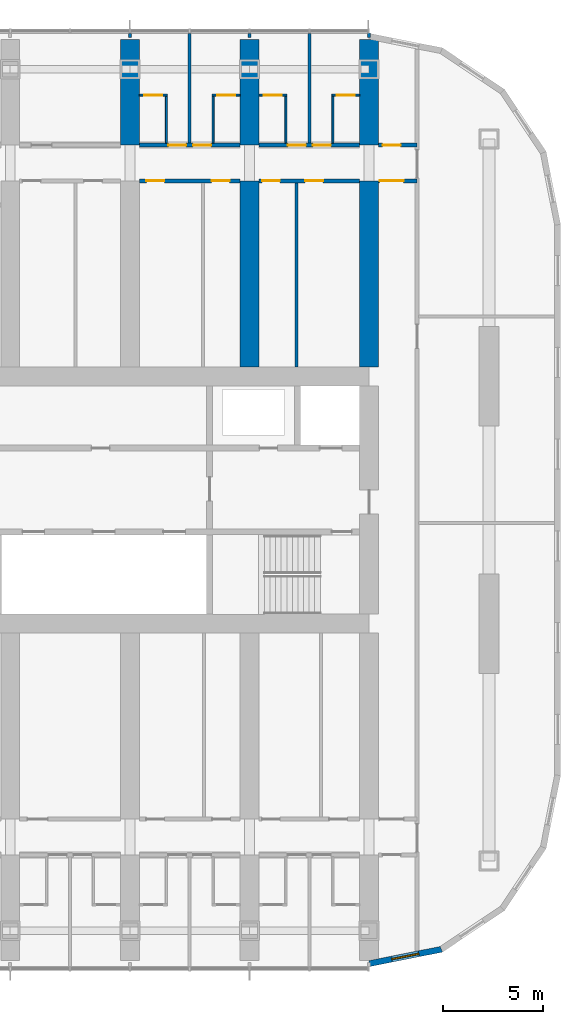
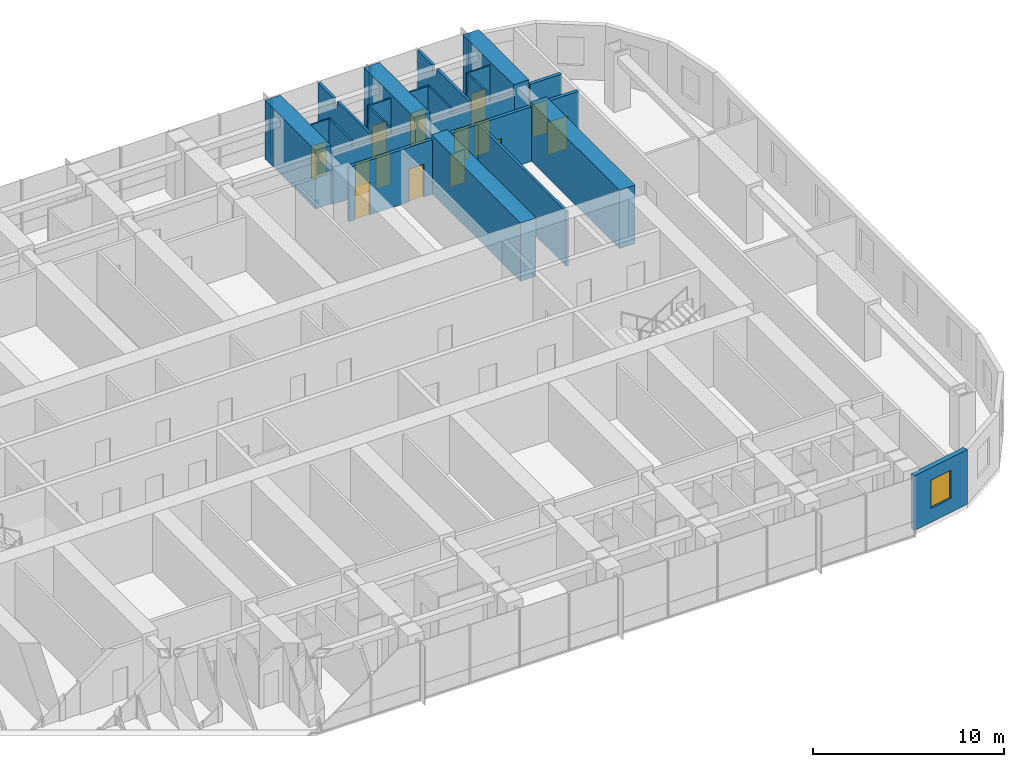
# One storey, part 15 of 21: 26 walls, 14 doors, 1 window, 15 openings.
"""IFC4 building model written with IfcOpenShell, lengths in metres."""

from ifc_helpers import new_model, si_unit, direction, frame, frame_2d, origin, place, context, subcontext, project, spatial, polyline, rectangle, outline, extrude, material, layer, layer_set, type_object, element, fill, save


model = new_model("IFC4")

# Units and contexts
model_context = context("Model", 3, precision=1e-05, world=origin(), true_north=direction((0.0, 1.0)))
body_context = subcontext(model_context, "Body", "Model", "MODEL_VIEW")
ifc_project = project(units=[si_unit("LENGTHUNIT", "METRE"), si_unit("AREAUNIT", "SQUARE_METRE"), si_unit("VOLUMEUNIT", "CUBIC_METRE"), si_unit("PLANEANGLEUNIT", "RADIAN"), si_unit("MASSUNIT", "GRAM", prefix="KILO")], contexts=[model_context])

# Site, building, storey
site_placement = place(None, origin())
site = spatial("IfcSite", under=ifc_project, at=site_placement, CompositionType="ELEMENT")
building_placement = place(site_placement, origin())
building = spatial("IfcBuilding", under=site, at=building_placement, Name="Orbita Commons", CompositionType="ELEMENT")
storey_placement = place(building_placement, frame((0.0, 0.0, 88.14990234375)))
storey = spatial("IfcBuildingStorey", under=building, at=storey_placement, Name="L21", CompositionType="ELEMENT", Elevation=88.14990234375)

# Wall, openings, doors
ifc_material_1 = material(Name="Concrete blockwork", Category="masonry")
ifc_layer_1 = layer(ifc_material_1, 0.199951171875)
ifc_layer_set_1 = layer_set([ifc_layer_1], Name="Concrete blockwork")
wall_type_1 = type_object("IfcWallType", Name="Corridor wall 200 blockwork", PredefinedType="SOLIDWALL", material=ifc_layer_set_1)
wall_1_placement = place(storey_placement, frame((54.47509765625, 49.800048828125, 0.0), z_axis=(0.0, 0.0, 1.0), x_axis=(1.0, 0.0, 0.0)))
wall_1 = element("IfcWall", 1, at=wall_1_placement, inside=storey, type_object=wall_type_1, Name="Corridor wall 200 blockwork L21", PredefinedType="SOLIDWALL", context=body_context, shape_type="SweptSolid", body=[
    extrude(outline(polyline([(0.0, 0.0), (5.0498046875, 0.0), (5.050048828125, 3.10009765625), (0.0, 3.10009765625), (0.0, 0.0)])), frame((0.0, 0.10009765625, 0.0), z_axis=(0.0, -1.0, 0.0), x_axis=(1.0, 0.0, 0.0)), (0.0, 0.0, 1.0), 0.199951171875),
])
opening_1_placement = place(wall_1_placement, frame((1.449951171875, 0.0, 0.0)))
opening_1 = element("IfcOpeningElement", 2, at=opening_1_placement, cuts=wall_1, Name="Opening D11", PredefinedType="OPENING", context=body_context, shape_type="SweptSolid", body=[
    extrude(rectangle(XDim=0.89990234375, YDim=2.10009765625, at=frame_2d((0.449951171875, 1.050048828125))), frame((0.0, 0.10986328125, 0.0), z_axis=(0.0, -1.0, 0.0), x_axis=(1.0, 0.0, 0.0)), (0.0, 0.0, 1.0), 0.219970703125),
])
opening_2_placement = place(wall_1_placement, frame((2.699951171875, 0.0, 0.0)))
opening_2 = element("IfcOpeningElement", 3, at=opening_2_placement, cuts=wall_1, Name="Opening D11", PredefinedType="OPENING", context=body_context, shape_type="SweptSolid", body=[
    extrude(rectangle(XDim=0.89990234375, YDim=2.10009765625, at=frame_2d((0.449951171875, 1.050048828125))), frame((0.0, 0.10986328125, 0.0), z_axis=(0.0, -1.0, 0.0), x_axis=(1.0, 0.0, 0.0)), (0.0, 0.0, 1.0), 0.219970703125),
])
ifc_material_2 = material(Name="Steel-faced fire door leaf", Category="steel")
door_type_1 = type_object("IfcDoorType", Name="Corridor door 20 min 900x2100", OperationType="SINGLE_SWING_LEFT", PredefinedType="DOOR", material=ifc_material_2)
door_1_placement = place(opening_1_placement, origin())
door_1 = element("IfcDoor", 4, at=door_1_placement, inside=storey, type_object=door_type_1, Name="Cluster bedroom L21-N14 door", OperationType="SINGLE_SWING_LEFT", OverallHeight=2.10009765625, OverallWidth=0.89990234375, PredefinedType="DOOR", context=body_context, shape_type="SweptSolid", body=[
    extrude(rectangle(XDim=0.89990234375, YDim=2.10009765625, at=frame_2d((0.449951171875, 1.050048828125))), frame((0.0, 0.02490234375, 0.0), z_axis=(0.0, -1.0, 0.0), x_axis=(1.0, 0.0, 0.0)), (0.0, 0.0, 1.0), 0.050048828125),
])
fill(opening_1, door_1)
door_2_placement = place(opening_2_placement, origin())
door_2 = element("IfcDoor", 5, at=door_2_placement, inside=storey, type_object=door_type_1, Name="Cluster bedroom L21-N15 door", OperationType="SINGLE_SWING_LEFT", OverallHeight=2.10009765625, OverallWidth=0.89990234375, PredefinedType="DOOR", context=body_context, shape_type="SweptSolid", body=[
    extrude(rectangle(XDim=0.89990234375, YDim=2.10009765625, at=frame_2d((0.449951171875, 1.050048828125))), frame((0.0, 0.02490234375, 0.0), z_axis=(0.0, -1.0, 0.0), x_axis=(1.0, 0.0, 0.0)), (0.0, 0.0, 1.0), 0.050048828125),
])
fill(opening_2, door_2)

wall_2_placement = place(storey_placement, frame((60.47509765625, 49.800048828125, 0.0), z_axis=(0.0, 0.0, 1.0), x_axis=(1.0, 0.0, 0.0)))
wall_2 = element("IfcWall", 6, at=wall_2_placement, inside=storey, type_object=wall_type_1, Name="Corridor wall 200 blockwork L21", PredefinedType="SOLIDWALL", context=body_context, shape_type="SweptSolid", body=[
    extrude(outline(polyline([(0.0, 0.0), (5.0498046875, 0.0), (5.050048828125, 3.10009765625), (0.0, 3.10009765625), (0.0, 0.0)])), frame((0.0, 0.10009765625, 0.0), z_axis=(0.0, -1.0, 0.0), x_axis=(1.0, 0.0, 0.0)), (0.0, 0.0, 1.0), 0.199951171875),
])
opening_3_placement = place(wall_2_placement, frame((1.449951171875, 0.0, 0.0)))
opening_3 = element("IfcOpeningElement", 7, at=opening_3_placement, cuts=wall_2, Name="Opening D11", PredefinedType="OPENING", context=body_context, shape_type="SweptSolid", body=[
    extrude(rectangle(XDim=0.89990234375, YDim=2.10009765625, at=frame_2d((0.449951171875, 1.050048828125))), frame((0.0, 0.10986328125, 0.0), z_axis=(0.0, -1.0, 0.0), x_axis=(1.0, 0.0, 0.0)), (0.0, 0.0, 1.0), 0.219970703125),
])
opening_4_placement = place(wall_2_placement, frame((2.699951171875, 0.0, 0.0)))
opening_4 = element("IfcOpeningElement", 8, at=opening_4_placement, cuts=wall_2, Name="Opening D11", PredefinedType="OPENING", context=body_context, shape_type="SweptSolid", body=[
    extrude(rectangle(XDim=0.89990234375, YDim=2.10009765625, at=frame_2d((0.449951171875, 1.050048828125))), frame((0.0, 0.10986328125, 0.0), z_axis=(0.0, -1.0, 0.0), x_axis=(1.0, 0.0, 0.0)), (0.0, 0.0, 1.0), 0.219970703125),
])
door_3_placement = place(opening_3_placement, origin())
door_3 = element("IfcDoor", 9, at=door_3_placement, inside=storey, type_object=door_type_1, Name="Cluster bedroom L21-N16 door", OperationType="SINGLE_SWING_LEFT", OverallHeight=2.10009765625, OverallWidth=0.89990234375, PredefinedType="DOOR", context=body_context, shape_type="SweptSolid", body=[
    extrude(rectangle(XDim=0.89990234375, YDim=2.10009765625, at=frame_2d((0.449951171875, 1.050048828125))), frame((0.0, 0.02490234375, 0.0), z_axis=(0.0, -1.0, 0.0), x_axis=(1.0, 0.0, 0.0)), (0.0, 0.0, 1.0), 0.050048828125),
])
fill(opening_3, door_3)
door_4_placement = place(opening_4_placement, origin())
door_4 = element("IfcDoor", 10, at=door_4_placement, inside=storey, type_object=door_type_1, Name="Cluster bedroom L21-N17 door", OperationType="SINGLE_SWING_LEFT", OverallHeight=2.10009765625, OverallWidth=0.89990234375, PredefinedType="DOOR", context=body_context, shape_type="SweptSolid", body=[
    extrude(rectangle(XDim=0.89990234375, YDim=2.10009765625, at=frame_2d((0.449951171875, 1.050048828125))), frame((0.0, 0.02490234375, 0.0), z_axis=(0.0, -1.0, 0.0), x_axis=(1.0, 0.0, 0.0)), (0.0, 0.0, 1.0), 0.050048828125),
])
fill(opening_4, door_4)

# Wall, opening, door
wall_3_placement = place(storey_placement, frame((66.47509765625, 49.800048828125, 0.0), z_axis=(0.0, 0.0, 1.0), x_axis=(1.0, 0.0, 0.0)))
wall_3 = element("IfcWall", 11, at=wall_3_placement, inside=storey, type_object=wall_type_1, Name="Corridor wall 200 blockwork L21", PredefinedType="SOLIDWALL", context=body_context, shape_type="SweptSolid", body=[
    extrude(rectangle(XDim=1.9248046875, YDim=0.199951171875, at=frame_2d((0.96240234375, 0.0))), origin(), (0.0, 0.0, 1.0), 3.5),
])
opening_5_placement = place(wall_3_placement, frame((0.199951171875, 0.0, 0.0)))
opening_5 = element("IfcOpeningElement", 12, at=opening_5_placement, cuts=wall_3, Name="Opening D05", PredefinedType="OPENING", context=body_context, shape_type="SweptSolid", body=[
    extrude(rectangle(XDim=0.89990234375, YDim=2.10009765625, at=frame_2d((0.449951171875, 1.050048828125))), frame((0.0, 0.10986328125, 0.0), z_axis=(0.0, -1.0, 0.0), x_axis=(1.0, 0.0, 0.0)), (0.0, 0.0, 1.0), 0.219970703125),
])
ifc_material_3 = material(Name="Steel-faced fire door leaf", Category="steel")
door_type_2 = type_object("IfcDoorType", Name="Service door 20 min 900x2100", OperationType="SINGLE_SWING_LEFT", PredefinedType="DOOR", material=ifc_material_3)
door_5_placement = place(opening_5_placement, origin())
door_5 = element("IfcDoor", 13, at=door_5_placement, inside=storey, type_object=door_type_2, Name="Linen store L21-KEN door", OperationType="SINGLE_SWING_LEFT", OverallHeight=2.10009765625, OverallWidth=0.89990234375, PredefinedType="DOOR", context=body_context, shape_type="SweptSolid", body=[
    extrude(rectangle(XDim=0.89990234375, YDim=2.10009765625, at=frame_2d((0.449951171875, 1.050048828125))), frame((0.0, 0.02490234375, 0.0), z_axis=(0.0, -1.0, 0.0), x_axis=(1.0, 0.0, 0.0)), (0.0, 0.0, 1.0), 0.050048828125),
])
fill(opening_5, door_5)

# Wall, openings, doors
ifc_material_4 = material(Name="Hollow concrete block 200", Category="concrete")
ifc_layer_2 = layer(ifc_material_4, 0.199951171875)
ifc_layer_set_2 = layer_set([ifc_layer_2], Name="Hollow concrete block 200")
wall_type_2 = type_object("IfcWallType", Name="Corridor wall 200 hollow concrete block", PredefinedType="SOLIDWALL", material=ifc_layer_set_2)
wall_4_placement = place(storey_placement, frame((54.47509765625, 48.0, 0.0), z_axis=(0.0, 0.0, 1.0), x_axis=(1.0, 0.0, 0.0)))
wall_4 = element("IfcWall", 14, at=wall_4_placement, inside=storey, type_object=wall_type_2, Name="Corridor wall 200 hollow concrete block L21", PredefinedType="SOLIDWALL", context=body_context, shape_type="SweptSolid", body=[
    extrude(rectangle(XDim=5.0498046875, YDim=0.199951171875, at=frame_2d((2.52490234375, 0.0))), origin(), (0.0, 0.0, 1.0), 3.5),
])
opening_6_placement = place(wall_4_placement, frame((0.35009765625, 0.0, 0.0)))
opening_6 = element("IfcOpeningElement", 15, at=opening_6_placement, cuts=wall_4, Name="Opening D11", PredefinedType="OPENING", context=body_context, shape_type="SweptSolid", body=[
    extrude(rectangle(XDim=0.89990234375, YDim=2.10009765625, at=frame_2d((0.449951171875, 1.050048828125))), frame((0.0, 0.10986328125, 0.0), z_axis=(0.0, -1.0, 0.0), x_axis=(1.0, 0.0, 0.0)), (0.0, 0.0, 1.0), 0.219970703125),
])
opening_7_placement = place(wall_4_placement, frame((3.625, 0.0, 0.0)))
opening_7 = element("IfcOpeningElement", 16, at=opening_7_placement, cuts=wall_4, Name="Opening D11", PredefinedType="OPENING", context=body_context, shape_type="SweptSolid", body=[
    extrude(rectangle(XDim=0.89990234375, YDim=2.10009765625, at=frame_2d((0.449951171875, 1.050048828125))), frame((0.0, 0.10986328125, 0.0), z_axis=(0.0, -1.0, 0.0), x_axis=(1.0, 0.0, 0.0)), (0.0, 0.0, 1.0), 0.219970703125),
])
door_6_placement = place(opening_6_placement, origin())
door_6 = element("IfcDoor", 17, at=door_6_placement, inside=storey, type_object=door_type_1, Name="Parcel and post room L21-BDN54 door", OperationType="SINGLE_SWING_LEFT", OverallHeight=2.10009765625, OverallWidth=0.89990234375, PredefinedType="DOOR", context=body_context, shape_type="SweptSolid", body=[
    extrude(rectangle(XDim=0.89990234375, YDim=2.10009765625, at=frame_2d((0.449951171875, 1.050048828125))), frame((0.0, 0.02490234375, 0.0), z_axis=(0.0, -1.0, 0.0), x_axis=(1.0, 0.0, 0.0)), (0.0, 0.0, 1.0), 0.050048828125),
])
fill(opening_6, door_6)
door_7_placement = place(opening_7_placement, origin())
door_7 = element("IfcDoor", 18, at=door_7_placement, inside=storey, type_object=door_type_1, Name="Battery and UPS room L21-BDN54n door", OperationType="SINGLE_SWING_LEFT", OverallHeight=2.10009765625, OverallWidth=0.89990234375, PredefinedType="DOOR", context=body_context, shape_type="SweptSolid", body=[
    extrude(rectangle(XDim=0.89990234375, YDim=2.10009765625, at=frame_2d((0.449951171875, 1.050048828125))), frame((0.0, 0.02490234375, 0.0), z_axis=(0.0, -1.0, 0.0), x_axis=(1.0, 0.0, 0.0)), (0.0, 0.0, 1.0), 0.050048828125),
])
fill(opening_7, door_7)

wall_5_placement = place(storey_placement, frame((60.47509765625, 48.0, 0.0), z_axis=(0.0, 0.0, 1.0), x_axis=(1.0, 0.0, 0.0)))
wall_5 = element("IfcWall", 19, at=wall_5_placement, inside=storey, type_object=wall_type_2, Name="Corridor wall 200 hollow concrete block L21", PredefinedType="SOLIDWALL", context=body_context, shape_type="SweptSolid", body=[
    extrude(rectangle(XDim=5.0498046875, YDim=0.199951171875, at=frame_2d((2.52490234375, 0.0))), origin(), (0.0, 0.0, 1.0), 3.5),
])
opening_8_placement = place(wall_5_placement, frame((0.14990234375, 0.0, 0.0)))
opening_8 = element("IfcOpeningElement", 20, at=opening_8_placement, cuts=wall_5, Name="Opening D11", PredefinedType="OPENING", context=body_context, shape_type="SweptSolid", body=[
    extrude(rectangle(XDim=0.89990234375, YDim=2.10009765625, at=frame_2d((0.449951171875, 1.050048828125))), frame((0.0, 0.10986328125, 0.0), z_axis=(0.0, -1.0, 0.0), x_axis=(1.0, 0.0, 0.0)), (0.0, 0.0, 1.0), 0.219970703125),
])
opening_9_placement = place(wall_5_placement, frame((2.31494140625, 0.0, 0.0)))
opening_9 = element("IfcOpeningElement", 21, at=opening_9_placement, cuts=wall_5, Name="Opening D11", PredefinedType="OPENING", context=body_context, shape_type="SweptSolid", body=[
    extrude(rectangle(XDim=0.89990234375, YDim=2.10009765625, at=frame_2d((0.449951171875, 1.050048828125))), frame((0.0, 0.10986328125, 0.0), z_axis=(0.0, -1.0, 0.0), x_axis=(1.0, 0.0, 0.0)), (0.0, 0.0, 1.0), 0.219970703125),
])
door_8_placement = place(opening_8_placement, origin())
door_8 = element("IfcDoor", 22, at=door_8_placement, inside=storey, type_object=door_type_1, Name="Sprinkler valve room L21-BDN60n door", OperationType="SINGLE_SWING_LEFT", OverallHeight=2.10009765625, OverallWidth=0.89990234375, PredefinedType="DOOR", context=body_context, shape_type="SweptSolid", body=[
    extrude(rectangle(XDim=0.89990234375, YDim=2.10009765625, at=frame_2d((0.449951171875, 1.050048828125))), frame((0.0, 0.02490234375, 0.0), z_axis=(0.0, -1.0, 0.0), x_axis=(1.0, 0.0, 0.0)), (0.0, 0.0, 1.0), 0.050048828125),
])
fill(opening_8, door_8)
door_9_placement = place(opening_9_placement, origin())
door_9 = element("IfcDoor", 23, at=door_9_placement, inside=storey, type_object=door_type_1, Name="Linen store L21-BDN60 door", OperationType="SINGLE_SWING_LEFT", OverallHeight=2.10009765625, OverallWidth=0.89990234375, PredefinedType="DOOR", context=body_context, shape_type="SweptSolid", body=[
    extrude(rectangle(XDim=0.89990234375, YDim=2.10009765625, at=frame_2d((0.449951171875, 1.050048828125))), frame((0.0, 0.02490234375, 0.0), z_axis=(0.0, -1.0, 0.0), x_axis=(1.0, 0.0, 0.0)), (0.0, 0.0, 1.0), 0.050048828125),
])
fill(opening_9, door_9)

# Wall, opening, door
wall_6_placement = place(storey_placement, frame((66.47509765625, 48.0, 0.0), z_axis=(0.0, 0.0, 1.0), x_axis=(1.0, 0.0, 0.0)))
wall_6 = element("IfcWall", 24, at=wall_6_placement, inside=storey, type_object=wall_type_2, Name="Corridor wall 200 hollow concrete block L21", PredefinedType="SOLIDWALL", context=body_context, shape_type="SweptSolid", body=[
    extrude(rectangle(XDim=1.9248046875, YDim=0.199951171875, at=frame_2d((0.96240234375, 0.0))), origin(), (0.0, 0.0, 1.0), 3.5),
])
opening_10_placement = place(wall_6_placement, frame((0.050048828125, 0.0, 0.0)))
opening_10 = element("IfcOpeningElement", 25, at=opening_10_placement, cuts=wall_6, Name="Opening D12", PredefinedType="OPENING", context=body_context, shape_type="SweptSolid", body=[
    extrude(rectangle(XDim=1.199951171875, YDim=2.10009765625, at=frame_2d((0.60009765625, 1.050048828125))), frame((0.0, 0.10986328125, 0.0), z_axis=(0.0, -1.0, 0.0), x_axis=(1.0, 0.0, 0.0)), (0.0, 0.0, 1.0), 0.219970703125),
])
ifc_material_5 = material(Name="Steel-faced fire door leaf", Category="steel")
door_type_3 = type_object("IfcDoorType", Name="Double corridor door 20 min 1200x2100", OperationType="DOUBLE_DOOR_SINGLE_SWING", PredefinedType="DOOR", material=ifc_material_5)
door_10_placement = place(opening_10_placement, origin())
door_10 = element("IfcDoor", 26, at=door_10_placement, inside=storey, type_object=door_type_3, Name="Cross corridor doors", OperationType="DOUBLE_DOOR_SINGLE_SWING", OverallHeight=2.10009765625, OverallWidth=1.199951171875, PredefinedType="DOOR", context=body_context, shape_type="SweptSolid", body=[
    extrude(rectangle(XDim=1.199951171875, YDim=2.10009765625, at=frame_2d((0.60009765625, 1.050048828125))), frame((0.0, 0.02490234375, 0.0), z_axis=(0.0, -1.0, 0.0), x_axis=(1.0, 0.0, 0.0)), (0.0, 0.0, 1.0), 0.050048828125),
])
fill(opening_10, door_10)

# Walls
ifc_material_6 = material(Name="Concrete C50/60", Category="concrete")
ifc_layer_3 = layer(ifc_material_6, 0.949951171875)
ifc_layer_set_3 = layer_set([ifc_layer_3], Name="Concrete C50/60")
wall_type_3 = type_object("IfcWallType", Name="Cross wall 950 C50/60", PredefinedType="SHEAR", material=ifc_layer_set_3)
for number, where, z_axis, x_axis, name in (
    (27, (54.0, 49.800048828125, 0.0), (0.0, 0.0, 1.0), (0.0, 1.0, 0.0), "Cross wall 10 north outer L21"),
    (28, (60.0, 49.800048828125, 0.0), (0.0, 0.0, 1.0), (0.0, 1.0, 0.0), "Cross wall 11 north outer L21"),
):
    element("IfcWall", number, at=place(storey_placement, frame(where, z_axis=z_axis, x_axis=x_axis)), inside=storey, type_object=wall_type_3, Name=name, PredefinedType="SHEAR", context=body_context, shape_type="SweptSolid", body=[
        extrude(rectangle(XDim=5.300048828125, YDim=0.949951171875, at=frame_2d((2.64990234375, 0.0))), origin(), (0.0, 0.0, 1.0), 3.75),
    ])
wall_7_placement = place(storey_placement, frame((60.0, 38.675048828125, 0.0), z_axis=(0.0, 0.0, 1.0), x_axis=(0.0, 1.0, 0.0)))
element("IfcWall", 29, at=wall_7_placement, inside=storey, type_object=wall_type_3, Name="Cross wall 11 north inner L21", PredefinedType="SHEAR", context=body_context, shape_type="SweptSolid", body=[
    extrude(rectangle(XDim=9.324951171875, YDim=0.949951171875, at=frame_2d((4.66259765625, 0.0))), origin(), (0.0, 0.0, 1.0), 3.75),
])
wall_8_placement = place(storey_placement, frame((66.0, 49.800048828125, 0.0), z_axis=(0.0, 0.0, 1.0), x_axis=(0.0, 1.0, 0.0)))
element("IfcWall", 30, at=wall_8_placement, inside=storey, type_object=wall_type_3, Name="Cross wall 12 north outer L21", PredefinedType="SHEAR", context=body_context, shape_type="SweptSolid", body=[
    extrude(rectangle(XDim=5.300048828125, YDim=0.949951171875, at=frame_2d((2.64990234375, 0.0))), origin(), (0.0, 0.0, 1.0), 3.75),
])
wall_9_placement = place(storey_placement, frame((66.0, 38.675048828125, 0.0), z_axis=(0.0, 0.0, 1.0), x_axis=(0.0, 1.0, 0.0)))
element("IfcWall", 31, at=wall_9_placement, inside=storey, type_object=wall_type_3, Name="Cross wall 12 north inner L21", PredefinedType="SHEAR", context=body_context, shape_type="SweptSolid", body=[
    extrude(rectangle(XDim=9.324951171875, YDim=0.949951171875, at=frame_2d((4.66259765625, 0.0))), origin(), (0.0, 0.0, 1.0), 3.75),
])

# Wall, opening, door
ifc_material_7 = material(Name="Moisture-resistant plasterboard on steel studs", Category="steel")
ifc_layer_4 = layer(ifc_material_7, 0.10009765625)
ifc_layer_set_4 = layer_set([ifc_layer_4], Name="Moisture-resistant plasterboard on steel studs")
wall_type_4 = type_object("IfcWallType", Name="En-suite partition 100", PredefinedType="PARTITIONING", material=ifc_layer_set_4)
wall_10_placement = place(storey_placement, frame((54.47509765625, 52.300048828125, 0.0), z_axis=(0.0, 0.0, 1.0), x_axis=(1.0, 0.0, 0.0)))
wall_10 = element("IfcWall", 32, at=wall_10_placement, inside=storey, type_object=wall_type_4, Name="En-suite partition 100 L21", PredefinedType="PARTITIONING", context=body_context, shape_type="SweptSolid", body=[
    extrude(rectangle(XDim=1.39990234375, YDim=0.10009765625, at=frame_2d((0.699951171875, 0.0))), origin(), (0.0, 0.0, 1.0), 3.5),
])
opening_11_placement = place(wall_10_placement, frame((0.25, 0.0, 0.0)))
opening_11 = element("IfcOpeningElement", 33, at=opening_11_placement, cuts=wall_10, Name="Opening D09", PredefinedType="OPENING", context=body_context, shape_type="SweptSolid", body=[
    extrude(rectangle(XDim=0.89990234375, YDim=2.10009765625, at=frame_2d((0.449951171875, 1.050048828125))), frame((0.0, 0.06005859375, 0.0), z_axis=(0.0, -1.0, 0.0), x_axis=(1.0, 0.0, 0.0)), (0.0, 0.0, 1.0), 0.1201171875),
])
ifc_material_8 = material(Name="Laminated timber door leaf", Category="wood")
door_type_4 = type_object("IfcDoorType", Name="En-suite door 900x2100", OperationType="SINGLE_SWING_RIGHT", PredefinedType="DOOR", material=ifc_material_8)
door_11_placement = place(opening_11_placement, origin())
door_11 = element("IfcDoor", 34, at=door_11_placement, inside=storey, type_object=door_type_4, Name="En-suite L21-N14 door", OperationType="SINGLE_SWING_RIGHT", OverallHeight=2.10009765625, OverallWidth=0.89990234375, PredefinedType="DOOR", context=body_context, shape_type="SweptSolid", body=[
    extrude(rectangle(XDim=0.89990234375, YDim=2.10009765625, at=frame_2d((0.449951171875, 1.050048828125))), frame((0.0, 0.02490234375, 0.0), z_axis=(0.0, -1.0, 0.0), x_axis=(1.0, 0.0, 0.0)), (0.0, 0.0, 1.0), 0.050048828125),
])
fill(opening_11, door_11)

# Wall
wall_11_placement = place(storey_placement, frame((55.824951171875, 52.25, 0.0), z_axis=(0.0, 0.0, 1.0), x_axis=(0.0, -1.0, 0.0)))
element("IfcWall", 35, at=wall_11_placement, inside=storey, type_object=wall_type_4, Name="En-suite partition 100 L21", PredefinedType="PARTITIONING", context=body_context, shape_type="SweptSolid", body=[
    extrude(outline(polyline([(0.0, 0.0), (2.35009765625, 0.0), (2.35009765625, 3.10009765625), (2.302001953125, 3.10009765625), (2.300048828125, 3.5), (0.0, 3.5), (0.0, 0.0)])), frame((0.0, 0.050048828125, 0.0), z_axis=(0.0, -1.0, 0.0), x_axis=(1.0, 0.0, 0.0)), (0.0, 0.0, 1.0), 0.10009765625),
])

# Wall, opening, door
wall_12_placement = place(storey_placement, frame((58.125, 52.300048828125, 0.0), z_axis=(0.0, 0.0, 1.0), x_axis=(1.0, 0.0, 0.0)))
wall_12 = element("IfcWall", 36, at=wall_12_placement, inside=storey, type_object=wall_type_4, Name="En-suite partition 100 L21", PredefinedType="PARTITIONING", context=body_context, shape_type="SweptSolid", body=[
    extrude(rectangle(XDim=1.39990234375, YDim=0.10009765625, at=frame_2d((0.699951171875, 0.0))), origin(), (0.0, 0.0, 1.0), 3.5),
])
opening_12_placement = place(wall_12_placement, frame((0.25, 0.0, 0.0)))
opening_12 = element("IfcOpeningElement", 37, at=opening_12_placement, cuts=wall_12, Name="Opening D09", PredefinedType="OPENING", context=body_context, shape_type="SweptSolid", body=[
    extrude(rectangle(XDim=0.89990234375, YDim=2.10009765625, at=frame_2d((0.449951171875, 1.050048828125))), frame((0.0, 0.06005859375, 0.0), z_axis=(0.0, -1.0, 0.0), x_axis=(1.0, 0.0, 0.0)), (0.0, 0.0, 1.0), 0.1201171875),
])
door_12_placement = place(opening_12_placement, origin())
door_12 = element("IfcDoor", 38, at=door_12_placement, inside=storey, type_object=door_type_4, Name="En-suite L21-N15 door", OperationType="SINGLE_SWING_RIGHT", OverallHeight=2.10009765625, OverallWidth=0.89990234375, PredefinedType="DOOR", context=body_context, shape_type="SweptSolid", body=[
    extrude(rectangle(XDim=0.89990234375, YDim=2.10009765625, at=frame_2d((0.449951171875, 1.050048828125))), frame((0.0, 0.02490234375, 0.0), z_axis=(0.0, -1.0, 0.0), x_axis=(1.0, 0.0, 0.0)), (0.0, 0.0, 1.0), 0.050048828125),
])
fill(opening_12, door_12)

# Wall
wall_13_placement = place(storey_placement, frame((58.175048828125, 52.25, 0.0), z_axis=(0.0, 0.0, 1.0), x_axis=(0.0, -1.0, 0.0)))
element("IfcWall", 39, at=wall_13_placement, inside=storey, type_object=wall_type_4, Name="En-suite partition 100 L21", PredefinedType="PARTITIONING", context=body_context, shape_type="SweptSolid", body=[
    extrude(outline(polyline([(0.0, 0.0), (2.35009765625, 0.0), (2.35009765625, 3.10009765625), (2.302001953125, 3.10009765625), (2.300048828125, 3.5), (0.0, 3.5), (0.0, 0.0)])), frame((0.0, 0.050048828125, 0.0), z_axis=(0.0, -1.0, 0.0), x_axis=(1.0, 0.0, 0.0)), (0.0, 0.0, 1.0), 0.10009765625),
])

# Wall, opening, door
wall_14_placement = place(storey_placement, frame((60.47509765625, 52.300048828125, 0.0), z_axis=(0.0, 0.0, 1.0), x_axis=(1.0, 0.0, 0.0)))
wall_14 = element("IfcWall", 40, at=wall_14_placement, inside=storey, type_object=wall_type_4, Name="En-suite partition 100 L21", PredefinedType="PARTITIONING", context=body_context, shape_type="SweptSolid", body=[
    extrude(rectangle(XDim=1.39990234375, YDim=0.10009765625, at=frame_2d((0.699951171875, 0.0))), origin(), (0.0, 0.0, 1.0), 3.5),
])
opening_13_placement = place(wall_14_placement, frame((0.25, 0.0, 0.0)))
opening_13 = element("IfcOpeningElement", 41, at=opening_13_placement, cuts=wall_14, Name="Opening D09", PredefinedType="OPENING", context=body_context, shape_type="SweptSolid", body=[
    extrude(rectangle(XDim=0.89990234375, YDim=2.10009765625, at=frame_2d((0.449951171875, 1.050048828125))), frame((0.0, 0.06005859375, 0.0), z_axis=(0.0, -1.0, 0.0), x_axis=(1.0, 0.0, 0.0)), (0.0, 0.0, 1.0), 0.1201171875),
])
door_13_placement = place(opening_13_placement, origin())
door_13 = element("IfcDoor", 42, at=door_13_placement, inside=storey, type_object=door_type_4, Name="En-suite L21-N16 door", OperationType="SINGLE_SWING_RIGHT", OverallHeight=2.10009765625, OverallWidth=0.89990234375, PredefinedType="DOOR", context=body_context, shape_type="SweptSolid", body=[
    extrude(rectangle(XDim=0.89990234375, YDim=2.10009765625, at=frame_2d((0.449951171875, 1.050048828125))), frame((0.0, 0.02490234375, 0.0), z_axis=(0.0, -1.0, 0.0), x_axis=(1.0, 0.0, 0.0)), (0.0, 0.0, 1.0), 0.050048828125),
])
fill(opening_13, door_13)

# Wall
wall_15_placement = place(storey_placement, frame((61.824951171875, 52.25, 0.0), z_axis=(0.0, 0.0, 1.0), x_axis=(0.0, -1.0, 0.0)))
element("IfcWall", 43, at=wall_15_placement, inside=storey, type_object=wall_type_4, Name="En-suite partition 100 L21", PredefinedType="PARTITIONING", context=body_context, shape_type="SweptSolid", body=[
    extrude(outline(polyline([(0.0, 0.0), (2.35009765625, 0.0), (2.35009765625, 3.10009765625), (2.302001953125, 3.10009765625), (2.300048828125, 3.5), (0.0, 3.5), (0.0, 0.0)])), frame((0.0, 0.050048828125, 0.0), z_axis=(0.0, -1.0, 0.0), x_axis=(1.0, 0.0, 0.0)), (0.0, 0.0, 1.0), 0.10009765625),
])

# Wall, opening, door
wall_16_placement = place(storey_placement, frame((64.125, 52.300048828125, 0.0), z_axis=(0.0, 0.0, 1.0), x_axis=(1.0, 0.0, 0.0)))
wall_16 = element("IfcWall", 44, at=wall_16_placement, inside=storey, type_object=wall_type_4, Name="En-suite partition 100 L21", PredefinedType="PARTITIONING", context=body_context, shape_type="SweptSolid", body=[
    extrude(rectangle(XDim=1.39990234375, YDim=0.10009765625, at=frame_2d((0.699951171875, 0.0))), origin(), (0.0, 0.0, 1.0), 3.5),
])
opening_14_placement = place(wall_16_placement, frame((0.25, 0.0, 0.0)))
opening_14 = element("IfcOpeningElement", 45, at=opening_14_placement, cuts=wall_16, Name="Opening D09", PredefinedType="OPENING", context=body_context, shape_type="SweptSolid", body=[
    extrude(rectangle(XDim=0.89990234375, YDim=2.10009765625, at=frame_2d((0.449951171875, 1.050048828125))), frame((0.0, 0.06005859375, 0.0), z_axis=(0.0, -1.0, 0.0), x_axis=(1.0, 0.0, 0.0)), (0.0, 0.0, 1.0), 0.1201171875),
])
door_14_placement = place(opening_14_placement, origin())
door_14 = element("IfcDoor", 46, at=door_14_placement, inside=storey, type_object=door_type_4, Name="En-suite L21-N17 door", OperationType="SINGLE_SWING_RIGHT", OverallHeight=2.10009765625, OverallWidth=0.89990234375, PredefinedType="DOOR", context=body_context, shape_type="SweptSolid", body=[
    extrude(rectangle(XDim=0.89990234375, YDim=2.10009765625, at=frame_2d((0.449951171875, 1.050048828125))), frame((0.0, 0.02490234375, 0.0), z_axis=(0.0, -1.0, 0.0), x_axis=(1.0, 0.0, 0.0)), (0.0, 0.0, 1.0), 0.050048828125),
])
fill(opening_14, door_14)

# Walls
wall_17_placement = place(storey_placement, frame((64.175048828125, 52.25, 0.0), z_axis=(0.0, 0.0, 1.0), x_axis=(0.0, -1.0, 0.0)))
element("IfcWall", 47, at=wall_17_placement, inside=storey, type_object=wall_type_4, Name="En-suite partition 100 L21", PredefinedType="PARTITIONING", context=body_context, shape_type="SweptSolid", body=[
    extrude(outline(polyline([(0.0, 0.0), (2.35009765625, 0.0), (2.35009765625, 3.10009765625), (2.302001953125, 3.10009765625), (2.300048828125, 3.5), (0.0, 3.5), (0.0, 0.0)])), frame((0.0, 0.050048828125, 0.0), z_axis=(0.0, -1.0, 0.0), x_axis=(1.0, 0.0, 0.0)), (0.0, 0.0, 1.0), 0.10009765625),
])
ifc_material_9 = material(Name="Gypsum plasterboard on steel studs", Category="steel")
ifc_layer_5 = layer(ifc_material_9, 0.14990234375)
ifc_layer_set_5 = layer_set([ifc_layer_5], Name="Gypsum plasterboard on steel studs")
wall_type_5 = type_object("IfcWallType", Name="Partition 150 plasterboard", PredefinedType="PARTITIONING", material=ifc_layer_set_5)
wall_18_placement = place(storey_placement, frame((62.364990234375, 38.675048828125, 0.0), z_axis=(0.0, 0.0, 1.0), x_axis=(0.0, 1.0, 0.0)))
element("IfcWall", 48, at=wall_18_placement, inside=storey, type_object=wall_type_5, Name="Partition 150 plasterboard L21", PredefinedType="PARTITIONING", context=body_context, shape_type="SweptSolid", body=[
    extrude(rectangle(XDim=9.224853515625, YDim=0.14990234375, at=frame_2d((4.6123046875, 0.0))), origin(), (0.0, 0.0, 1.0), 3.5),
])
for number, where, z_axis, x_axis, name in (
    (49, (54.0, 55.199951171875, 0.0), (0.0, 0.0, 1.0), (0.0, 1.0, 0.0), "Partition 150 plasterboard L21"),
    (50, (60.0, 55.199951171875, 0.0), (0.0, 0.0, 1.0), (0.0, 1.0, 0.0), "Partition 150 plasterboard L21"),
):
    element("IfcWall", number, at=place(storey_placement, frame(where, z_axis=z_axis, x_axis=x_axis)), inside=storey, type_object=wall_type_5, Name=name, PredefinedType="PARTITIONING", context=body_context, shape_type="SweptSolid", body=[
        extrude(rectangle(XDim=0.18994140625, YDim=0.14990234375, at=frame_2d((0.094970703125, 0.0))), origin(), (0.0, 0.0, 1.0), 3.5),
    ])
wall_19_placement = place(storey_placement, frame((66.0, 55.199951171875, 0.0), z_axis=(0.0, 0.0, 1.0), x_axis=(0.0, 1.0, 0.0)))
element("IfcWall", 51, at=wall_19_placement, inside=storey, type_object=wall_type_5, Name="Partition 150 plasterboard L21", PredefinedType="PARTITIONING", context=body_context, shape_type="SweptSolid", body=[
    extrude(rectangle(XDim=0.219970703125, YDim=0.14990234375, at=frame_2d((0.10986328125, 0.0))), origin(), (0.0, 0.0, 1.0), 3.5),
])
ifc_material_10 = material(Name="Gypsum plasterboard on steel studs", Category="steel")
ifc_layer_6 = layer(ifc_material_10, 0.14990234375)
ifc_layer_set_6 = layer_set([ifc_layer_6], Name="Gypsum plasterboard on steel studs")
wall_type_6 = type_object("IfcWallType", Name="Party wall 150 plasterboard", PredefinedType="PARTITIONING", material=ifc_layer_set_6)
for number, where, z_axis, x_axis, name in (
    (52, (57.0, 55.389892578125, 0.0), (0.0, 0.0, 1.0), (0.0, -1.0, 0.0), "Party wall 150 plasterboard L21"),
    (53, (63.0, 55.389892578125, 0.0), (0.0, 0.0, 1.0), (0.0, -1.0, 0.0), "Party wall 150 plasterboard L21"),
):
    element("IfcWall", number, at=place(storey_placement, frame(where, z_axis=z_axis, x_axis=x_axis)), inside=storey, type_object=wall_type_6, Name=name, PredefinedType="PARTITIONING", context=body_context, shape_type="SweptSolid", body=[
        extrude(outline(polyline([(0.0, 0.0), (5.489990234375, 0.0), (5.489990234375, 3.10009765625), (5.44189453125, 3.10009765625), (5.43994140625, 3.5), (1.991943359375, 3.5), (1.989990234375, 3.10009765625), (1.592041015625, 3.10009765625), (1.590087890625, 3.5), (0.0, 3.5), (0.0, 0.0)])), frame((0.0, 0.074951171875, 0.0), z_axis=(0.0, -1.0, 0.0), x_axis=(1.0, 0.0, 0.0)), (0.0, 0.0, 1.0), 0.14990234375),
    ])

# Wall, opening, window
ifc_material_11 = material(Name="Precast concrete C40/50, white board-marked finish", Category="concrete")
ifc_layer_7 = layer(ifc_material_11, 0.300048828125)
ifc_layer_set_7 = layer_set([ifc_layer_7], Name="Precast concrete C40/50, white board-marked finish")
wall_type_7 = type_object("IfcWallType", Name="Precast concrete end shield 300", PredefinedType="SOLIDWALL", material=ifc_layer_set_7)
wall_20_placement = place(storey_placement, frame((66.0, 8.75, 0.0), z_axis=(0.0, 0.0, 1.0), x_axis=(0.980791473772, 0.195059183267, 0.0)))
wall_20 = element("IfcWall", 54, at=wall_20_placement, inside=storey, type_object=wall_type_7, Name="End shield SE chord 1 L21", PredefinedType="SOLIDWALL", context=body_context, shape_type="SweptSolid", body=[
    extrude(outline(polyline([(-0.02978515625, -0.14990234375), (3.717041015625, -0.14990234375), (3.657470703125, 0.14990234375), (0.02978515625, 0.14990234375), (-0.02978515625, -0.14990234375)])), origin(), (0.0, 0.0, 1.0), 3.5),
])
opening_15_placement = place(wall_20_placement, frame((1.1435546875, 0.0, 0.89990234375)))
opening_15 = element("IfcOpeningElement", 55, at=opening_15_placement, cuts=wall_20, Name="Opening W02", PredefinedType="OPENING", context=body_context, shape_type="SweptSolid", body=[
    extrude(rectangle(XDim=1.39990234375, YDim=1.800048828125, at=frame_2d((0.699951171875, 0.89990234375))), frame((0.0, 0.159912109375, 0.0), z_axis=(0.0, -1.0, 0.0), x_axis=(1.0, 0.0, 0.0)), (0.0, 0.0, 1.0), 0.320068359375),
])
ifc_material_12 = material(Name="Aluminium frame, clear double glazing", Category="aluminium")
window_type = type_object("IfcWindowType", Name="Deep-set window 1400x1800", PartitioningType="SINGLE_PANEL", PredefinedType="WINDOW", material=ifc_material_12)
window_placement = place(opening_15_placement, origin())
window = element("IfcWindow", 56, at=window_placement, inside=storey, type_object=window_type, Name="Window L21-SE0", OverallHeight=1.800048828125, OverallWidth=1.39990234375, PartitioningType="SINGLE_PANEL", PredefinedType="WINDOW", context=body_context, shape_type="SweptSolid", body=[
    extrude(rectangle(XDim=1.39990234375, YDim=1.800048828125, at=frame_2d((0.699951171875, 0.89990234375))), frame((0.0, 0.030029296875, 0.0), z_axis=(0.0, -1.0, 0.0), x_axis=(1.0, 0.0, 0.0)), (0.0, 0.0, 1.0), 0.06005859375),
])
fill(opening_15, window)

save(model, "model.ifc")
